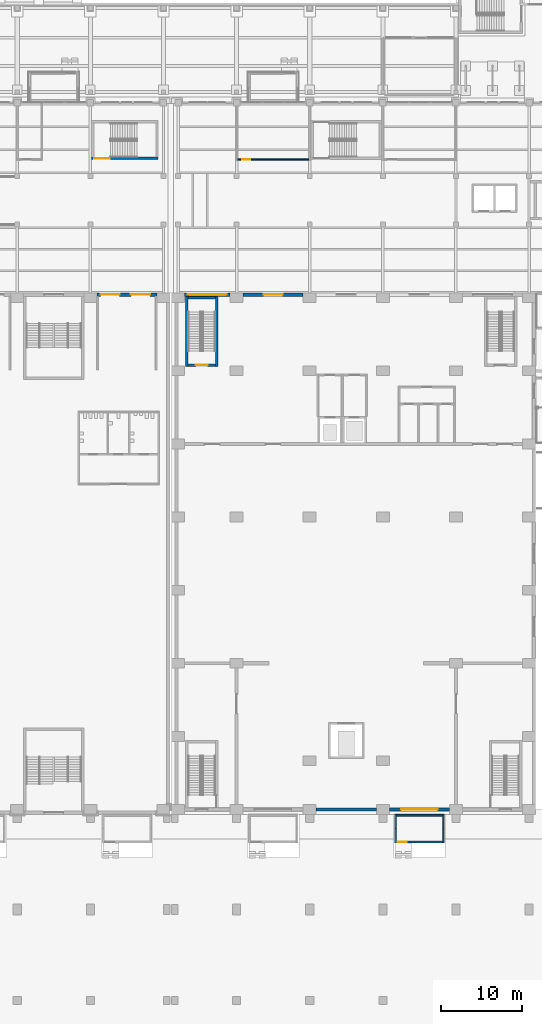
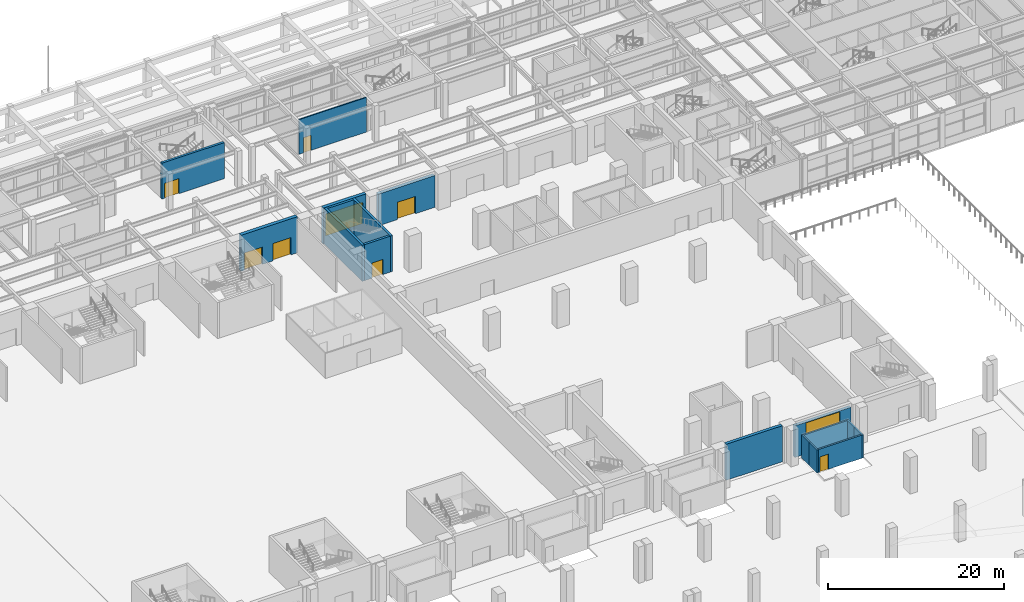
# One storey, part 42 of 77: 17 walls, 8 doors, 1 window, 9 openings.
"""IFC4 building model written with IfcOpenShell, lengths in metres."""

from ifc_helpers import new_model, si_unit, direction, frame, frame_2d, origin, place, context, subcontext, project, spatial, rectangle, extrude, material, layer, layer_set, type_object, element, fill, save


model = new_model("IFC4")

# Units and contexts
model_context = context("Model", 3, precision=1e-05, world=origin(), true_north=direction((0.0, 1.0)))
body_context = subcontext(model_context, "Body", "Model", "MODEL_VIEW")
ifc_project = project(units=[si_unit("LENGTHUNIT", "METRE"), si_unit("AREAUNIT", "SQUARE_METRE"), si_unit("VOLUMEUNIT", "CUBIC_METRE"), si_unit("PLANEANGLEUNIT", "RADIAN"), si_unit("MASSUNIT", "GRAM", prefix="KILO")], contexts=[model_context])

# Site, building, storey
site_placement = place(None, origin())
site = spatial("IfcSite", under=ifc_project, at=site_placement, CompositionType="ELEMENT")
building_placement = place(site_placement, origin())
building = spatial("IfcBuilding", under=site, at=building_placement, Name="Aravalli Gate Trade Fair Centre", CompositionType="ELEMENT")
storey_placement = place(building_placement, origin())
storey = spatial("IfcBuildingStorey", under=building, at=storey_placement, Name="L00", CompositionType="ELEMENT", Elevation=0.0)

# Walls
ifc_material_1 = material(Name="Concrete M35", Category="concrete")
ifc_layer_1 = layer(ifc_material_1, 0.199951171875)
ifc_layer_set_1 = layer_set([ifc_layer_1], Name="Concrete M35")
wall_type_1 = type_object("IfcWallType", Name="Basement stair enclosure wall 200", PredefinedType="SOLIDWALL", material=ifc_layer_set_1)
for number, where, z_axis, x_axis, name in (
    (1, (133.550048828125, 45.39990234375, 0.0), (0.0, 0.0, 1.0), (0.0, -1.0, 0.0), "Basement stair S7 enclosure wall L1 L00"),
    (2, (133.550048828125, 43.64990234375, 0.0), (0.0, 0.0, 1.0), (0.0, -1.0, 0.0), "Basement stair S7 enclosure wall L2 L00"),
    (3, (139.449951171875, 45.39990234375, 0.0), (0.0, 0.0, 1.0), (0.0, -1.0, 0.0), "Basement stair S7 enclosure wall R1 L00"),
    (4, (139.449951171875, 43.64990234375, 0.0), (0.0, 0.0, 1.0), (0.0, -1.0, 0.0), "Basement stair S7 enclosure wall R2 L00"),
):
    element("IfcWall", number, at=place(storey_placement, frame(where, z_axis=z_axis, x_axis=x_axis)), inside=storey, type_object=wall_type_1, Name=name, PredefinedType="SOLIDWALL", context=body_context, shape_type="SweptSolid", body=[
        extrude(rectangle(XDim=1.75, YDim=0.199951171875, at=frame_2d((0.875, 0.0))), origin(), (0.0, 0.0, 1.0), 3.199951171875),
    ])

# Wall, opening, door
wall_1_placement = place(storey_placement, frame((133.64990234375, 42.0, 0.0), z_axis=(0.0, 0.0, 1.0), x_axis=(1.0, 0.0, 0.0)))
wall_1 = element("IfcWall", 5, at=wall_1_placement, inside=storey, type_object=wall_type_1, Name="Basement stair S7 enclosure wall O L00", PredefinedType="SOLIDWALL", context=body_context, shape_type="SweptSolid", body=[
    extrude(rectangle(XDim=5.7001953125, YDim=0.199951171875, at=frame_2d((2.85009765625, 0.0))), origin(), (0.0, 0.0, 1.0), 3.199951171875),
])
opening_1_placement = place(wall_1_placement, frame((0.199951171875, 0.0, 0.0)))
opening_1 = element("IfcOpeningElement", 6, at=opening_1_placement, cuts=wall_1, Name="Opening B-L00-13", PredefinedType="OPENING", context=body_context, shape_type="SweptSolid", body=[
    extrude(rectangle(XDim=1.10009765625, YDim=2.10009765625, at=frame_2d((0.550048828125, 1.050048828125))), frame((0.0, 0.10986328125, 0.0), z_axis=(0.0, -1.0, 0.0), x_axis=(1.0, 0.0, 0.0)), (0.0, 0.0, 1.0), 0.219970703125),
])
ifc_material_2 = material(Name="Steel", Category="steel")
door_type_1 = type_object("IfcDoorType", Name="Basement stair door 1100x2100", OperationType="SINGLE_SWING_LEFT", PredefinedType="DOOR", material=ifc_material_2)
door_1_placement = place(opening_1_placement, frame((1.10009765625, 0.0, 0.0), z_axis=(0.0, 0.0, 1.0), x_axis=(-1.0, 0.0, 0.0)))
door_1 = element("IfcDoor", 7, at=door_1_placement, inside=storey, type_object=door_type_1, Name="Basement stair S7 discharge door", OperationType="SINGLE_SWING_RIGHT", OverallHeight=2.10009765625, OverallWidth=1.10009765625, PredefinedType="DOOR", context=body_context, shape_type="SweptSolid", body=[
    extrude(rectangle(XDim=1.10009765625, YDim=2.10009765625, at=frame_2d((0.550048828125, 1.050048828125))), frame((0.0, 0.02490234375, 0.0), z_axis=(0.0, -1.0, 0.0), x_axis=(1.0, 0.0, 0.0)), (0.0, 0.0, 1.0), 0.050048828125),
])
fill(opening_1, door_1)

# Walls
wall_2_placement = place(storey_placement, frame((133.64990234375, 45.300048828125, 0.0), z_axis=(0.0, 0.0, 1.0), x_axis=(1.0, 0.0, 0.0)))
element("IfcWall", 8, at=wall_2_placement, inside=storey, type_object=wall_type_1, Name="Basement stair S7 enclosure wall I L00", PredefinedType="SOLIDWALL", context=body_context, shape_type="SweptSolid", body=[
    extrude(rectangle(XDim=5.7001953125, YDim=0.199951171875, at=frame_2d((2.85009765625, 0.0))), origin(), (0.0, 0.0, 1.0), 3.199951171875),
])
ifc_material_3 = material(Name="Concrete M40", Category="concrete")
ifc_layer_2 = layer(ifc_material_3, 0.300048828125)
ifc_layer_set_2 = layer_set([ifc_layer_2], Name="Concrete M40")
wall_type_2 = type_object("IfcWallType", Name="Congress RC wall 300", PredefinedType="SHEAR", material=ifc_layer_set_2)
for number, where, z_axis, x_axis, name in (
    (9, (107.85009765625, 100.550048828125, 0.0), (0.0, 0.0, 1.0), (0.0, 1.0, 0.0), "Foyer Stair West wall W L00"),
    (10, (111.550048828125, 100.550048828125, 0.0), (0.0, 0.0, 1.0), (0.0, 1.0, 0.0), "Foyer Stair West wall E L00"),
):
    element("IfcWall", number, at=place(storey_placement, frame(where, z_axis=z_axis, x_axis=x_axis)), inside=storey, type_object=wall_type_2, Name=name, PredefinedType="SHEAR", context=body_context, shape_type="SweptSolid", body=[
        extrude(rectangle(XDim=8.599853515625, YDim=0.300048828125, at=frame_2d((4.2998046875, 0.0))), origin(), (0.0, 0.0, 1.0), 5.0),
    ])

# Wall, opening, door
wall_3_placement = place(storey_placement, frame((108.0, 100.699951171875, 0.0), z_axis=(0.0, 0.0, 1.0), x_axis=(1.0, 0.0, 0.0)))
wall_3 = element("IfcWall", 11, at=wall_3_placement, inside=storey, type_object=wall_type_2, Name="Foyer Stair West wall S L00", PredefinedType="SHEAR", context=body_context, shape_type="SweptSolid", body=[
    extrude(rectangle(XDim=3.39990234375, YDim=0.300048828125, at=frame_2d((1.699951171875, 0.0))), origin(), (0.0, 0.0, 1.0), 5.0),
])
opening_2_placement = place(wall_3_placement, frame((0.97509765625, 0.0, 0.0)))
opening_2 = element("IfcOpeningElement", 12, at=opening_2_placement, cuts=wall_3, Name="Opening G-L00-15", PredefinedType="OPENING", context=body_context, shape_type="SweptSolid", body=[
    extrude(rectangle(XDim=1.449951171875, YDim=2.10009765625, at=frame_2d((0.72509765625, 1.050048828125))), frame((0.0, 0.159912109375, 0.0), z_axis=(0.0, -1.0, 0.0), x_axis=(1.0, 0.0, 0.0)), (0.0, 0.0, 1.0), 0.320068359375),
])
ifc_material_4 = material(Name="Steel, fire rated", Category="steel")
door_type_2 = type_object("IfcDoorType", Name="Congress fire door FD120 1450 x 2100", OperationType="SINGLE_SWING_LEFT", PredefinedType="DOOR", material=ifc_material_4)
door_2_placement = place(opening_2_placement, origin())
door_2 = element("IfcDoor", 13, at=door_2_placement, inside=storey, type_object=door_type_2, Name="Foyer Stair West door L00", OperationType="SINGLE_SWING_RIGHT", OverallHeight=2.10009765625, OverallWidth=1.449951171875, PredefinedType="DOOR", context=body_context, shape_type="SweptSolid", body=[
    extrude(rectangle(XDim=1.449951171875, YDim=2.10009765625, at=frame_2d((0.72509765625, 1.050048828125))), frame((0.0, 0.02490234375, 0.0), z_axis=(0.0, -1.0, 0.0), x_axis=(1.0, 0.0, 0.0)), (0.0, 0.0, 1.0), 0.050048828125),
])
fill(opening_2, door_2)

# Walls
wall_4_placement = place(storey_placement, frame((108.0, 109.0, 0.0), z_axis=(0.0, 0.0, 1.0), x_axis=(1.0, 0.0, 0.0)))
element("IfcWall", 14, at=wall_4_placement, inside=storey, type_object=wall_type_2, Name="Foyer Stair West wall N L00", PredefinedType="SHEAR", context=body_context, shape_type="SweptSolid", body=[
    extrude(rectangle(XDim=3.39990234375, YDim=0.300048828125, at=frame_2d((1.699951171875, 0.0))), origin(), (0.0, 0.0, 1.0), 5.0),
])
ifc_layer_3 = layer(ifc_material_3, 0.25, Name="Structural wall")
ifc_material_5 = material(Name="Ventilated air cavity")
ifc_layer_4 = layer(ifc_material_5, 0.050048828125, ventilated=True, Name="Ventilated cavity")
ifc_material_6 = material(Name="Terracotta rainscreen", Category="masonry")
ifc_layer_5 = layer(ifc_material_6, 0.10009765625, Name="Rainscreen cladding")
ifc_layer_set_3 = layer_set([ifc_layer_3, ifc_layer_4, ifc_layer_5], Name="Congress external wall 400")
wall_type_3 = type_object("IfcWallType", Name="Congress external wall 400", PredefinedType="SOLIDWALL", material=ifc_layer_set_3)
wall_5_placement = place(storey_placement, frame((123.800048828125, 46.0, 0.0), z_axis=(0.0, 0.0, 1.0), x_axis=(1.0, 0.0, 0.0)))
element("IfcWall", 15, at=wall_5_placement, inside=storey, type_object=wall_type_3, Name="South wall L00 bay 3", PredefinedType="SOLIDWALL", context=body_context, shape_type="SweptSolid", body=[
    extrude(rectangle(XDim=7.39990234375, YDim=0.39990234375, at=frame_2d((3.699951171875, 0.0))), origin(), (0.0, 0.0, 1.0), 5.0),
])

# Wall, opening, door
wall_6_placement = place(storey_placement, frame((132.800048828125, 46.0, 0.0), z_axis=(0.0, 0.0, 1.0), x_axis=(1.0, 0.0, 0.0)))
wall_6 = element("IfcWall", 16, at=wall_6_placement, inside=storey, type_object=wall_type_3, Name="South wall L00 bay 4", PredefinedType="SOLIDWALL", context=body_context, shape_type="SweptSolid", body=[
    extrude(rectangle(XDim=7.39990234375, YDim=0.39990234375, at=frame_2d((3.699951171875, 0.0))), origin(), (0.0, 0.0, 1.0), 4.39990234375),
])
opening_3_placement = place(wall_6_placement, frame((1.449951171875, 0.0, 0.0)))
opening_3 = element("IfcOpeningElement", 17, at=opening_3_placement, cuts=wall_6, Name="Opening G-L00-02", PredefinedType="OPENING", context=body_context, shape_type="SweptSolid", body=[
    extrude(rectangle(XDim=4.5, YDim=4.300048828125, at=frame_2d((2.25, 2.14990234375))), frame((0.0, 0.2099609375, 0.0), z_axis=(0.0, -1.0, 0.0), x_axis=(1.0, 0.0, 0.0)), (0.0, 0.0, 1.0), 0.419921875),
])
ifc_material_7 = material(Name="Timber and steel", Category="steel")
door_type_3 = type_object("IfcDoorType", Name="Congress rolling shutter 4500 x 4300 rollingup", OperationType="ROLLINGUP", PredefinedType="DOOR", material=ifc_material_7)
door_3_placement = place(opening_3_placement, frame((4.5, 0.0, 0.0), z_axis=(0.0, 0.0, 1.0), x_axis=(-1.0, 0.0, 0.0)))
door_3 = element("IfcDoor", 18, at=door_3_placement, inside=storey, type_object=door_type_3, Name="Stage dock shutter 3", OperationType="ROLLINGUP", OverallHeight=4.300048828125, OverallWidth=4.5, PredefinedType="DOOR", context=body_context, shape_type="SweptSolid", body=[
    extrude(rectangle(XDim=4.5, YDim=4.300048828125, at=frame_2d((2.25, 2.14990234375))), frame((0.0, 0.02490234375, 0.0), z_axis=(0.0, -1.0, 0.0), x_axis=(1.0, 0.0, 0.0)), (0.0, 0.0, 1.0), 0.050048828125),
])
fill(opening_3, door_3)

# Wall, opening, window
ifc_layer_6 = layer(ifc_material_3, 0.449951171875)
ifc_layer_set_4 = layer_set([ifc_layer_6], Name="Concrete M40")
wall_type_4 = type_object("IfcWallType", Name="Congress party wall 450", PredefinedType="SOLIDWALL", material=ifc_layer_set_4)
wall_7_placement = place(storey_placement, frame((107.60009765625, 109.375, 0.0), z_axis=(0.0, 0.0, 1.0), x_axis=(1.0, 0.0, 0.0)))
wall_7 = element("IfcWall", 19, at=wall_7_placement, inside=storey, type_object=wall_type_4, Name="North wall L00 bay 1", PredefinedType="SOLIDWALL", context=body_context, shape_type="SweptSolid", body=[
    extrude(rectangle(XDim=5.599853515625, YDim=0.449951171875, at=frame_2d((2.7998046875, 0.0))), origin(), (0.0, 0.0, 1.0), 5.0),
])
opening_4_placement = place(wall_7_placement, frame((0.39990234375, 0.0, 0.89990234375)))
opening_4 = element("IfcOpeningElement", 20, at=opening_4_placement, cuts=wall_7, Name="Opening GWN3", PredefinedType="OPENING", context=body_context, shape_type="SweptSolid", body=[
    extrude(rectangle(XDim=4.800048828125, YDim=3.0, at=frame_2d((2.39990234375, 1.5))), frame((0.0, 0.23486328125, 0.0), z_axis=(0.0, -1.0, 0.0), x_axis=(1.0, 0.0, 0.0)), (0.0, 0.0, 1.0), 0.469970703125),
])
ifc_material_8 = material(Name="Aluminium and glass", Category="aluminium")
window_type = type_object("IfcWindowType", Name="Congress foyer window 4800 x 3000", PartitioningType="SINGLE_PANEL", PredefinedType="WINDOW", material=ifc_material_8)
window_placement = place(opening_4_placement, origin())
window = element("IfcWindow", 21, at=window_placement, inside=storey, type_object=window_type, Name="Foyer window L00 bay 1", OverallHeight=3.0, OverallWidth=4.800048828125, PartitioningType="SINGLE_PANEL", PredefinedType="WINDOW", context=body_context, shape_type="SweptSolid", body=[
    extrude(rectangle(XDim=4.800048828125, YDim=3.0, at=frame_2d((2.39990234375, 1.5))), frame((0.0, 0.030029296875, 0.0), z_axis=(0.0, -1.0, 0.0), x_axis=(1.0, 0.0, 0.0)), (0.0, 0.0, 1.0), 0.06005859375),
])
fill(opening_4, window)

# Wall, opening, door
wall_8_placement = place(storey_placement, frame((114.800048828125, 109.375, 0.0), z_axis=(0.0, 0.0, 1.0), x_axis=(1.0, 0.0, 0.0)))
wall_8 = element("IfcWall", 22, at=wall_8_placement, inside=storey, type_object=wall_type_4, Name="North wall L00 bay 2", PredefinedType="SOLIDWALL", context=body_context, shape_type="SweptSolid", body=[
    extrude(rectangle(XDim=7.39990234375, YDim=0.449951171875, at=frame_2d((3.699951171875, 0.0))), origin(), (0.0, 0.0, 1.0), 4.39990234375),
])
opening_5_placement = place(wall_8_placement, frame((2.52490234375, 0.0, 0.0)))
opening_5 = element("IfcOpeningElement", 23, at=opening_5_placement, cuts=wall_8, Name="Opening G-L00-09", PredefinedType="OPENING", context=body_context, shape_type="SweptSolid", body=[
    extrude(rectangle(XDim=2.35009765625, YDim=2.39990234375, at=frame_2d((1.175048828125, 1.199951171875))), frame((0.0, 0.23486328125, 0.0), z_axis=(0.0, -1.0, 0.0), x_axis=(1.0, 0.0, 0.0)), (0.0, 0.0, 1.0), 0.469970703125),
])
door_type_4 = type_object("IfcDoorType", Name="Congress glazed entrance door 2350 x 2400 double door single swing", OperationType="DOUBLE_DOOR_SINGLE_SWING", PredefinedType="DOOR", material=ifc_material_8)
door_4_placement = place(opening_5_placement, frame((2.35009765625, 0.0, 0.0), z_axis=(0.0, 0.0, 1.0), x_axis=(-1.0, 0.0, 0.0)))
door_4 = element("IfcDoor", 24, at=door_4_placement, inside=storey, type_object=door_type_4, Name="Foyer entrance door 1", OperationType="DOUBLE_DOOR_SINGLE_SWING", OverallHeight=2.39990234375, OverallWidth=2.35009765625, PredefinedType="DOOR", context=body_context, shape_type="SweptSolid", body=[
    extrude(rectangle(XDim=2.35009765625, YDim=2.39990234375, at=frame_2d((1.175048828125, 1.199951171875))), frame((0.0, 0.02490234375, 0.0), z_axis=(0.0, -1.0, 0.0), x_axis=(1.0, 0.0, 0.0)), (0.0, 0.0, 1.0), 0.050048828125),
])
fill(opening_5, door_4)

# Wall, openings, doors
ifc_layer_7 = layer(ifc_material_3, 0.25, Name="Structural wall")
ifc_layer_8 = layer(ifc_material_5, 0.10009765625, ventilated=True, Name="Ventilated cavity")
ifc_material_9 = material(Name="Dholpur sandstone", Category="masonry")
ifc_layer_9 = layer(ifc_material_9, 0.10009765625, Name="Stone facing")
ifc_layer_set_5 = layer_set([ifc_layer_7, ifc_layer_8, ifc_layer_9], Name="Hall external wall 450 stone base")
wall_type_5 = type_object("IfcWallType", Name="Hall external wall 450 stone base", PredefinedType="SOLIDWALL", material=ifc_layer_set_5)
wall_9_placement = place(storey_placement, frame((96.800048828125, 109.375, 0.0), z_axis=(0.0, 0.0, 1.0), x_axis=(1.0, 0.0, 0.0)))
wall_9 = element("IfcWall", 25, at=wall_9_placement, inside=storey, type_object=wall_type_5, Name="Hall north wall bay 11 L00", PredefinedType="SOLIDWALL", context=body_context, shape_type="SweptSolid", body=[
    extrude(rectangle(XDim=7.39990234375, YDim=0.449951171875, at=frame_2d((3.699951171875, 0.0))), origin(), (0.0, 0.0, 1.0), 5.0),
])
opening_6_placement = place(wall_9_placement, frame((0.449951171875, 0.0, 0.0)))
opening_6 = element("IfcOpeningElement", 26, at=opening_6_placement, cuts=wall_9, Name="Opening H-L00-22", PredefinedType="OPENING", context=body_context, shape_type="SweptSolid", body=[
    extrude(rectangle(XDim=2.35009765625, YDim=2.39990234375, at=frame_2d((1.175048828125, 1.199951171875))), frame((0.0, 0.23486328125, 0.0), z_axis=(0.0, -1.0, 0.0), x_axis=(1.0, 0.0, 0.0)), (0.0, 0.0, 1.0), 0.469970703125),
])
opening_7_placement = place(wall_9_placement, frame((4.199951171875, 0.0, 0.0)))
opening_7 = element("IfcOpeningElement", 27, at=opening_7_placement, cuts=wall_9, Name="Opening H-L00-23", PredefinedType="OPENING", context=body_context, shape_type="SweptSolid", body=[
    extrude(rectangle(XDim=2.35009765625, YDim=2.39990234375, at=frame_2d((1.175048828125, 1.199951171875))), frame((0.0, 0.23486328125, 0.0), z_axis=(0.0, -1.0, 0.0), x_axis=(1.0, 0.0, 0.0)), (0.0, 0.0, 1.0), 0.469970703125),
])
door_type_5 = type_object("IfcDoorType", Name="Hall entrance double door FD120", OperationType="DOUBLE_DOOR_SINGLE_SWING", PredefinedType="DOOR", material=ifc_material_2)
door_5_placement = place(opening_6_placement, origin())
door_5 = element("IfcDoor", 28, at=door_5_placement, inside=storey, type_object=door_type_5, Name="Hall entrance door bay 11 L00 1", OperationType="DOUBLE_DOOR_SINGLE_SWING", OverallHeight=2.39990234375, OverallWidth=2.35009765625, PredefinedType="DOOR", context=body_context, shape_type="SweptSolid", body=[
    extrude(rectangle(XDim=2.35009765625, YDim=2.39990234375, at=frame_2d((1.175048828125, 1.199951171875))), frame((0.0, 0.02490234375, 0.0), z_axis=(0.0, -1.0, 0.0), x_axis=(1.0, 0.0, 0.0)), (0.0, 0.0, 1.0), 0.050048828125),
])
fill(opening_6, door_5)
door_6_placement = place(opening_7_placement, origin())
door_6 = element("IfcDoor", 29, at=door_6_placement, inside=storey, type_object=door_type_5, Name="Hall entrance door bay 11 L00 2", OperationType="DOUBLE_DOOR_SINGLE_SWING", OverallHeight=2.39990234375, OverallWidth=2.35009765625, PredefinedType="DOOR", context=body_context, shape_type="SweptSolid", body=[
    extrude(rectangle(XDim=2.35009765625, YDim=2.39990234375, at=frame_2d((1.175048828125, 1.199951171875))), frame((0.0, 0.02490234375, 0.0), z_axis=(0.0, -1.0, 0.0), x_axis=(1.0, 0.0, 0.0)), (0.0, 0.0, 1.0), 0.050048828125),
])
fill(opening_7, door_6)

# Wall, opening, door
ifc_material_10 = material(Name="Gypsum board")
ifc_layer_10 = layer(ifc_material_10, 0.02490234375, Name="Gypsum board lining")
ifc_material_11 = material(Name="Galvanised stud framing")
ifc_layer_11 = layer(ifc_material_11, 0.10009765625, Name="Stud framing")
ifc_layer_12 = layer(ifc_material_10, 0.02490234375, Name="Gypsum board lining")
ifc_layer_set_6 = layer_set([ifc_layer_10, ifc_layer_11, ifc_layer_12], Name="Partition wall 150")
wall_type_6 = type_object("IfcWallType", Name="Partition wall 150", PredefinedType="PARTITIONING", material=ifc_layer_set_6)
wall_10_placement = place(storey_placement, frame((114.074951171875, 126.0, 0.0), z_axis=(0.0, 0.0, 1.0), x_axis=(1.0, 0.0, 0.0)))
wall_10 = element("IfcWall", 30, at=wall_10_placement, inside=storey, type_object=wall_type_6, Name="Partition First Aid Room south L00", PredefinedType="PARTITIONING", context=body_context, shape_type="SweptSolid", body=[
    extrude(rectangle(XDim=8.85009765625, YDim=0.14990234375, at=frame_2d((4.425048828125, 0.0))), origin(), (0.0, 0.0, 1.0), 4.800048828125),
])
opening_8_placement = place(wall_10_placement, frame((0.60009765625, 0.0, 0.0)))
opening_8 = element("IfcOpeningElement", 31, at=opening_8_placement, cuts=wall_10, Name="Opening C-L00-39", PredefinedType="OPENING", context=body_context, shape_type="SweptSolid", body=[
    extrude(rectangle(XDim=1.0, YDim=2.10009765625, at=frame_2d((0.5, 1.050048828125))), frame((0.0, 0.0849609375, 0.0), z_axis=(0.0, -1.0, 0.0), x_axis=(1.0, 0.0, 0.0)), (0.0, 0.0, 1.0), 0.169921875),
])
door_type_6 = type_object("IfcDoorType", Name="Room door 1000 x 2100", OperationType="SINGLE_SWING_RIGHT", PredefinedType="NOTDEFINED", material=ifc_material_4)
door_7_placement = place(opening_8_placement, frame((1.0, 0.0, 0.0), z_axis=(0.0, 0.0, 1.0), x_axis=(-1.0, 0.0, 0.0)))
door_7 = element("IfcDoor", 32, at=door_7_placement, inside=storey, type_object=door_type_6, Name="Door First Aid Room L00", OperationType="SINGLE_SWING_RIGHT", OverallHeight=2.10009765625, OverallWidth=1.0, PredefinedType="NOTDEFINED", context=body_context, shape_type="SweptSolid", body=[
    extrude(rectangle(XDim=1.0, YDim=2.10009765625, at=frame_2d((0.5, 1.050048828125))), frame((0.0, 0.02490234375, 0.0), z_axis=(0.0, -1.0, 0.0), x_axis=(1.0, 0.0, 0.0)), (0.0, 0.0, 1.0), 0.050048828125),
])
fill(opening_8, door_7)

ifc_layer_13 = layer(ifc_material_3, 0.300048828125)
ifc_layer_set_7 = layer_set([ifc_layer_13], Name="Concrete M40")
wall_type_7 = type_object("IfcWallType", Name="RC core wall 300", PredefinedType="SHEAR", material=ifc_layer_set_7)
wall_11_placement = place(storey_placement, frame((96.14990234375, 126.14990234375, 0.0), z_axis=(0.0, 0.0, 1.0), x_axis=(1.0, 0.0, 0.0)))
wall_11 = element("IfcWall", 33, at=wall_11_placement, inside=storey, type_object=wall_type_7, Name="Core wall XDS L00", PredefinedType="SHEAR", context=body_context, shape_type="SweptSolid", body=[
    extrude(rectangle(XDim=8.2001953125, YDim=0.300048828125, at=frame_2d((4.10009765625, 0.0))), origin(), (0.0, 0.0, 1.0), 5.0),
])
opening_9_placement = place(wall_11_placement, frame((0.35009765625, 0.0, 0.0)))
opening_9 = element("IfcOpeningElement", 34, at=opening_9_placement, cuts=wall_11, Name="Opening C-L00-33", PredefinedType="OPENING", context=body_context, shape_type="SweptSolid", body=[
    extrude(rectangle(XDim=1.89990234375, YDim=2.10009765625, at=frame_2d((0.949951171875, 1.050048828125))), frame((0.0, 0.159912109375, 0.0), z_axis=(0.0, -1.0, 0.0), x_axis=(1.0, 0.0, 0.0)), (0.0, 0.0, 1.0), 0.320068359375),
])
door_type_7 = type_object("IfcDoorType", Name="Concourse stair door 1900 x 2100", OperationType="DOUBLE_DOOR_SINGLE_SWING", PredefinedType="NOTDEFINED", material=ifc_material_4)
door_8_placement = place(opening_9_placement, origin())
door_8 = element("IfcDoor", 35, at=door_8_placement, inside=storey, type_object=door_type_7, Name="Stair door XD L00", OperationType="DOUBLE_DOOR_SINGLE_SWING", OverallHeight=2.10009765625, OverallWidth=1.89990234375, PredefinedType="NOTDEFINED", context=body_context, shape_type="SweptSolid", body=[
    extrude(rectangle(XDim=1.89990234375, YDim=2.10009765625, at=frame_2d((0.949951171875, 1.050048828125))), frame((0.0, 0.02490234375, 0.0), z_axis=(0.0, -1.0, 0.0), x_axis=(1.0, 0.0, 0.0)), (0.0, 0.0, 1.0), 0.050048828125),
])
fill(opening_9, door_8)

save(model, "model.ifc")
